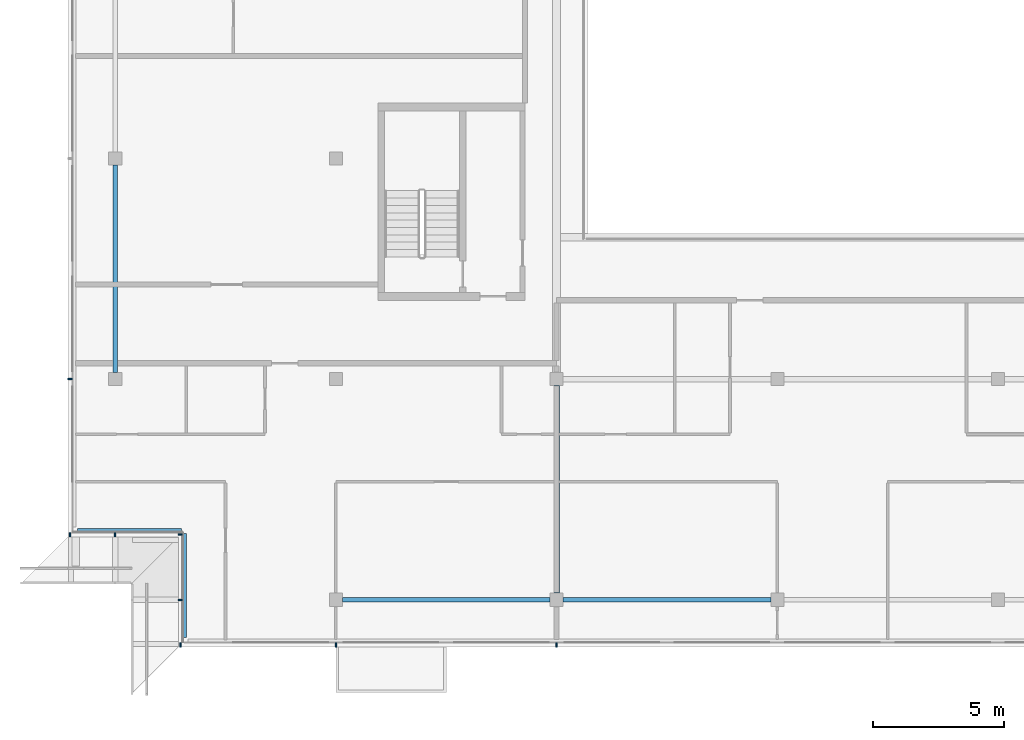
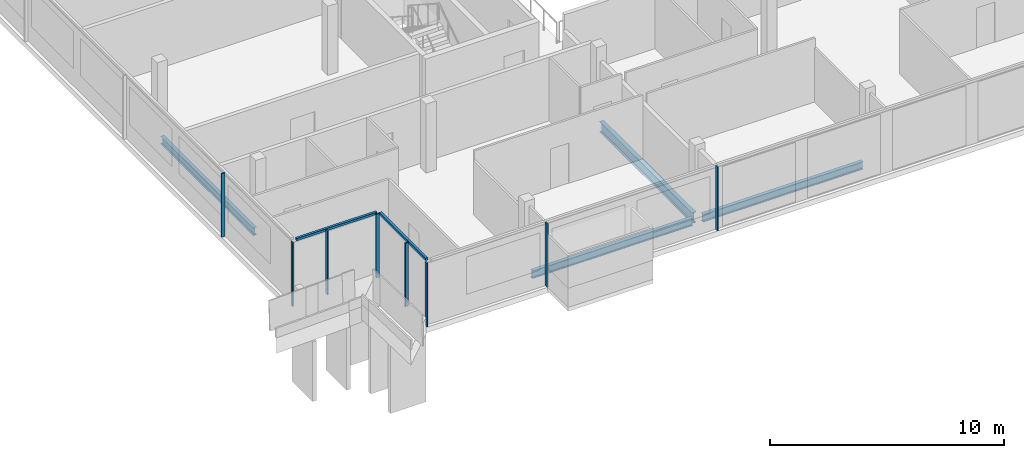
# One storey, part 2 of 24: 10 members, 4 beams, 4 elements without a shape of their own.
"""IFC4 building model written with IfcOpenShell, lengths in metres."""

from ifc_helpers import new_model, si_unit, direction, frame, origin, origin_2d, place, context, subcontext, project, spatial, rectangle, i_section, extrude, material, material_profile, profile_set, type_object, element, aggregate, save


model = new_model("IFC4")

# Units and contexts
model_context = context("Model", 3, precision=1e-05, world=origin(), true_north=direction((0.0, 1.0)))
body_context = subcontext(model_context, "Body", "Model", "MODEL_VIEW")
ifc_project = project(units=[si_unit("LENGTHUNIT", "METRE"), si_unit("AREAUNIT", "SQUARE_METRE"), si_unit("VOLUMEUNIT", "CUBIC_METRE"), si_unit("PLANEANGLEUNIT", "RADIAN"), si_unit("MASSUNIT", "GRAM", prefix="KILO")], contexts=[model_context])

# Site, building, storey
site_placement = place(None, origin())
site = spatial("IfcSite", under=ifc_project, at=site_placement, CompositionType="ELEMENT")
building_placement = place(site_placement, origin())
building = spatial("IfcBuilding", under=site, at=building_placement, Name="Saffron Gate Tower", CompositionType="ELEMENT")
storey_placement = place(building_placement, frame((0.0, 0.0, 281.550048828125)))
storey = spatial("IfcBuildingStorey", under=building, at=storey_placement, Name="L68", CompositionType="ELEMENT", Elevation=281.550048828125)

# Beams
ifc_material_1 = material(Name="Structural steel S355", Category="steel")
ifc_material_profile_1 = material_profile(ifc_material_1, i_section(OverallWidth=0.2099609375, OverallDepth=0.550048828125, WebThickness=0.010986328125, FlangeThickness=0.01708984375, FilletRadius=0.02392578125, at=origin_2d()))
ifc_profile_set_1 = profile_set([ifc_material_profile_1], Name="Structural steel S355")
beam_type_1 = type_object("IfcBeamType", Name="B12 IPE 550", PredefinedType="BEAM", material=ifc_profile_set_1)
beam_1_placement = place(storey_placement, frame((75.0, 32.050048828125, -0.554931640625), z_axis=(0.0, 1.0, 0.0), x_axis=(-1.0, 0.0, 0.0)))
element("IfcBeam", 1, at=beam_1_placement, inside=storey, type_object=beam_type_1, Name="B12 FLOOR GIRDER", PredefinedType="BEAM", context=body_context, shape_type="SweptSolid", body=[
    extrude(i_section(OverallWidth=0.2099609375, OverallDepth=0.550048828125, WebThickness=0.010986328125, FlangeThickness=0.01708984375, FilletRadius=0.02392578125, at=origin_2d()), origin(), (0.0, 0.0, 1.0), 7.89990234375),
])
ifc_material_profile_2 = material_profile(ifc_material_1, i_section(OverallWidth=0.179931640625, OverallDepth=0.39990234375, WebThickness=0.008544921875, FlangeThickness=0.013427734375, FilletRadius=0.02099609375, at=origin_2d()))
ifc_profile_set_2 = profile_set([ifc_material_profile_2], Name="Structural steel S355")
beam_type_2 = type_object("IfcBeamType", Name="B5 IPE 400", PredefinedType="SPANDREL", material=ifc_profile_set_2)
beam_2_placement = place(storey_placement, frame((58.199951171875, 40.449951171875, -0.47998046875), z_axis=(0.0, 1.0, 0.0), x_axis=(-1.0, 0.0, 0.0)))
element("IfcBeam", 2, at=beam_2_placement, inside=storey, type_object=beam_type_2, Name="B5 SPANDREL BEAM", PredefinedType="SPANDREL", context=body_context, shape_type="SweptSolid", body=[
    extrude(i_section(OverallWidth=0.179931640625, OverallDepth=0.39990234375, WebThickness=0.008544921875, FlangeThickness=0.013427734375, FilletRadius=0.02099609375, at=origin_2d()), origin(), (0.0, 0.0, 1.0), 7.900146484375),
])
for number, where, z_axis, x_axis, name in (
    (3, (66.85009765625, 31.800048828125, -0.47998046875), (1.0, 0.0, 0.0), (0.0, 1.0, 0.0), "B5 SPANDREL BEAM"),
    (4, (75.25, 31.800048828125, -0.47998046875), (1.0, 0.0, 0.0), (0.0, 1.0, 0.0), "B5 SPANDREL BEAM"),
):
    element("IfcBeam", number, at=place(storey_placement, frame(where, z_axis=z_axis, x_axis=x_axis)), inside=storey, type_object=beam_type_2, Name=name, PredefinedType="SPANDREL", context=body_context, shape_type="SweptSolid", body=[
        extrude(i_section(OverallWidth=0.179931640625, OverallDepth=0.39990234375, WebThickness=0.008544921875, FlangeThickness=0.013427734375, FilletRadius=0.02099609375, at=origin_2d()), origin(), (0.0, 0.0, 1.0), 7.89990234375),
    ])

# Curtain wall, members
ifc_material_2 = material(Name="Aluminium, bronze anodised", Category="aluminium")
curtain_wall_type_1 = type_object("IfcCurtainWallType", Name="CWS1 curtain wall front facade", PredefinedType="NOTDEFINED", material=ifc_material_2)
curtain_wall_1_placement = place(storey_placement, origin())
curtain_wall_1 = element("IfcCurtainWall", 5, at=curtain_wall_1_placement, inside=storey, type_object=curtain_wall_type_1, Name="CWS1 run 1", PredefinedType="NOTDEFINED")
ifc_material_profile_3 = material_profile(ifc_material_2, rectangle(XDim=0.159912109375, YDim=0.06005859375, at=origin_2d()))
ifc_profile_set_3 = profile_set([ifc_material_profile_3], Name="Aluminium, bronze anodised")
member_type_1 = type_object("IfcMemberType", Name="CWS1 mullion 60x160", PredefinedType="MULLION", material=ifc_profile_set_3)
member_1_placement = place(storey_placement, frame((60.679931640625, 30.080078125, 0.0), z_axis=(0.0, 0.0, 1.0), x_axis=(0.0, 1.0, 0.0)))
member_1 = element("IfcMember", 6, at=member_1_placement, type_object=member_type_1, Name="CWS1 mullion 1", PredefinedType="MULLION", context=body_context, shape_type="SweptSolid", body=[
    extrude(rectangle(XDim=0.159912109375, YDim=0.06005859375, at=origin_2d()), origin(), (0.0, 0.0, 1.0), 3.320068359375),
])
member_2_placement = place(storey_placement, frame((66.60009765625, 30.080078125, 0.0), z_axis=(0.0, 0.0, 1.0), x_axis=(0.0, 1.0, 0.0)))
member_2 = element("IfcMember", 7, at=member_2_placement, type_object=member_type_1, Name="CWS1 mullion 2", PredefinedType="MULLION", context=body_context, shape_type="SweptSolid", body=[
    extrude(rectangle(XDim=0.159912109375, YDim=0.06005859375, at=origin_2d()), origin(), (0.0, 0.0, 1.0), 3.320068359375),
])
member_3_placement = place(storey_placement, frame((75.0, 30.080078125, 0.0), z_axis=(0.0, 0.0, 1.0), x_axis=(0.0, 1.0, 0.0)))
member_3 = element("IfcMember", 8, at=member_3_placement, type_object=member_type_1, Name="CWS1 mullion 3", PredefinedType="MULLION", context=body_context, shape_type="SweptSolid", body=[
    extrude(rectangle(XDim=0.159912109375, YDim=0.06005859375, at=origin_2d()), origin(), (0.0, 0.0, 1.0), 3.320068359375),
])
aggregate(curtain_wall_1, [member_1, member_2, member_3])

# Curtain wall, member
curtain_wall_type_2 = type_object("IfcCurtainWallType", Name="CWS2 curtain wall side facades", PredefinedType="NOTDEFINED", material=ifc_material_2)
curtain_wall_2_placement = place(storey_placement, origin())
curtain_wall_2 = element("IfcCurtainWall", 9, at=curtain_wall_2_placement, inside=storey, type_object=curtain_wall_type_2, Name="CWS2 run 10", PredefinedType="NOTDEFINED")
ifc_material_profile_4 = material_profile(ifc_material_2, rectangle(XDim=0.159912109375, YDim=0.06005859375, at=origin_2d()))
ifc_profile_set_4 = profile_set([ifc_material_profile_4], Name="Aluminium, bronze anodised")
member_type_2 = type_object("IfcMemberType", Name="CWS2 mullion 60x160", PredefinedType="MULLION", material=ifc_profile_set_4)
member_4_placement = place(storey_placement, frame((56.47998046875, 40.199951171875, 0.0), z_axis=(0.0, 0.0, 1.0), x_axis=(1.0, 0.0, 0.0)))
member_4 = element("IfcMember", 10, at=member_4_placement, type_object=member_type_2, Name="CWS2 mullion 5", PredefinedType="MULLION", context=body_context, shape_type="SweptSolid", body=[
    extrude(rectangle(XDim=0.159912109375, YDim=0.06005859375, at=origin_2d()), origin(), (0.0, 0.0, 1.0), 3.320068359375),
])
aggregate(curtain_wall_2, [member_4])

curtain_wall_type_3 = type_object("IfcCurtainWallType", Name="CWS4 curtain wall corner returns", PredefinedType="NOTDEFINED", material=ifc_material_2)
curtain_wall_3_placement = place(storey_placement, origin())
curtain_wall_3 = element("IfcCurtainWall", 11, at=curtain_wall_3_placement, inside=storey, type_object=curtain_wall_type_3, Name="CWS4 run 11", PredefinedType="NOTDEFINED")
ifc_material_profile_5 = material_profile(ifc_material_2, rectangle(XDim=0.1201171875, YDim=0.1201171875, at=origin_2d()))
ifc_profile_set_5 = profile_set([ifc_material_profile_5], Name="Aluminium, bronze anodised")
member_type_3 = type_object("IfcMemberType", Name="CWS4 head transom", PredefinedType="USERDEFINED", material=ifc_profile_set_5)
member_5_placement = place(storey_placement, frame((56.76806640625, 34.447998046875, 3.260009765625), z_axis=(1.0, 0.0, 0.0), x_axis=(0.0, 1.0, 0.0)))
member_5 = element("IfcMember", 12, at=member_5_placement, type_object=member_type_3, Name="CWS4 head transom", ObjectType="TRANSOM", PredefinedType="USERDEFINED", context=body_context, shape_type="SweptSolid", body=[
    extrude(rectangle(XDim=0.1201171875, YDim=0.1201171875, at=origin_2d()), origin(), (0.0, 0.0, 1.0), 3.9599609375),
])

curtain_wall_4_placement = place(storey_placement, origin())
curtain_wall_4 = element("IfcCurtainWall", 13, at=curtain_wall_4_placement, inside=storey, type_object=curtain_wall_type_3, Name="CWS4 run 12", PredefinedType="NOTDEFINED")
member_6_placement = place(storey_placement, frame((60.847900390625, 34.327880859375, 3.260009765625), z_axis=(0.0, -1.0, 0.0), x_axis=(1.0, 0.0, 0.0)))
member_6 = element("IfcMember", 14, at=member_6_placement, type_object=member_type_3, Name="CWS4 head transom", ObjectType="TRANSOM", PredefinedType="USERDEFINED", context=body_context, shape_type="SweptSolid", body=[
    extrude(rectangle(XDim=0.1201171875, YDim=0.1201171875, at=origin_2d()), origin(), (0.0, 0.0, 1.0), 3.9599609375),
])

# Member
ifc_material_profile_6 = material_profile(ifc_material_2, rectangle(XDim=0.159912109375, YDim=0.06005859375, at=origin_2d()))
ifc_profile_set_6 = profile_set([ifc_material_profile_6], Name="Aluminium, bronze anodised")
member_type_4 = type_object("IfcMemberType", Name="CWS4 mullion 60x160", PredefinedType="MULLION", material=ifc_profile_set_6)
member_7_placement = place(storey_placement, frame((56.47998046875, 34.280029296875, 0.0), z_axis=(0.0, 0.0, 1.0), x_axis=(0.0, 1.0, 0.0)))
member_7 = element("IfcMember", 15, at=member_7_placement, type_object=member_type_4, Name="CWS4 mullion 1", PredefinedType="MULLION", context=body_context, shape_type="SweptSolid", body=[
    extrude(rectangle(XDim=0.159912109375, YDim=0.06005859375, at=origin_2d()), origin(), (0.0, 0.0, 1.0), 3.320068359375),
])

member_8_placement = place(storey_placement, frame((58.199951171875, 34.280029296875, 0.0), z_axis=(0.0, 0.0, 1.0), x_axis=(0.0, 1.0, 0.0)))
member_8 = element("IfcMember", 16, at=member_8_placement, type_object=member_type_4, Name="CWS4 mullion 2", PredefinedType="MULLION", context=body_context, shape_type="SweptSolid", body=[
    extrude(rectangle(XDim=0.159912109375, YDim=0.06005859375, at=origin_2d()), origin(), (0.0, 0.0, 1.0), 3.320068359375),
])

aggregate(curtain_wall_3, [member_7, member_8, member_5])

member_9_placement = place(storey_placement, frame((60.679931640625, 34.280029296875, 0.0), z_axis=(0.0, 0.0, 1.0), x_axis=(1.0, 0.0, 0.0)))
member_9 = element("IfcMember", 17, at=member_9_placement, type_object=member_type_4, Name="CWS4 mullion 1", PredefinedType="MULLION", context=body_context, shape_type="SweptSolid", body=[
    extrude(rectangle(XDim=0.159912109375, YDim=0.06005859375, at=origin_2d()), origin(), (0.0, 0.0, 1.0), 3.320068359375),
])

member_10_placement = place(storey_placement, frame((60.679931640625, 31.800048828125, 0.0), z_axis=(0.0, 0.0, 1.0), x_axis=(1.0, 0.0, 0.0)))
member_10 = element("IfcMember", 18, at=member_10_placement, type_object=member_type_4, Name="CWS4 mullion 2", PredefinedType="MULLION", context=body_context, shape_type="SweptSolid", body=[
    extrude(rectangle(XDim=0.159912109375, YDim=0.06005859375, at=origin_2d()), origin(), (0.0, 0.0, 1.0), 3.320068359375),
])

aggregate(curtain_wall_4, [member_9, member_10, member_6])

save(model, "model.ifc")
